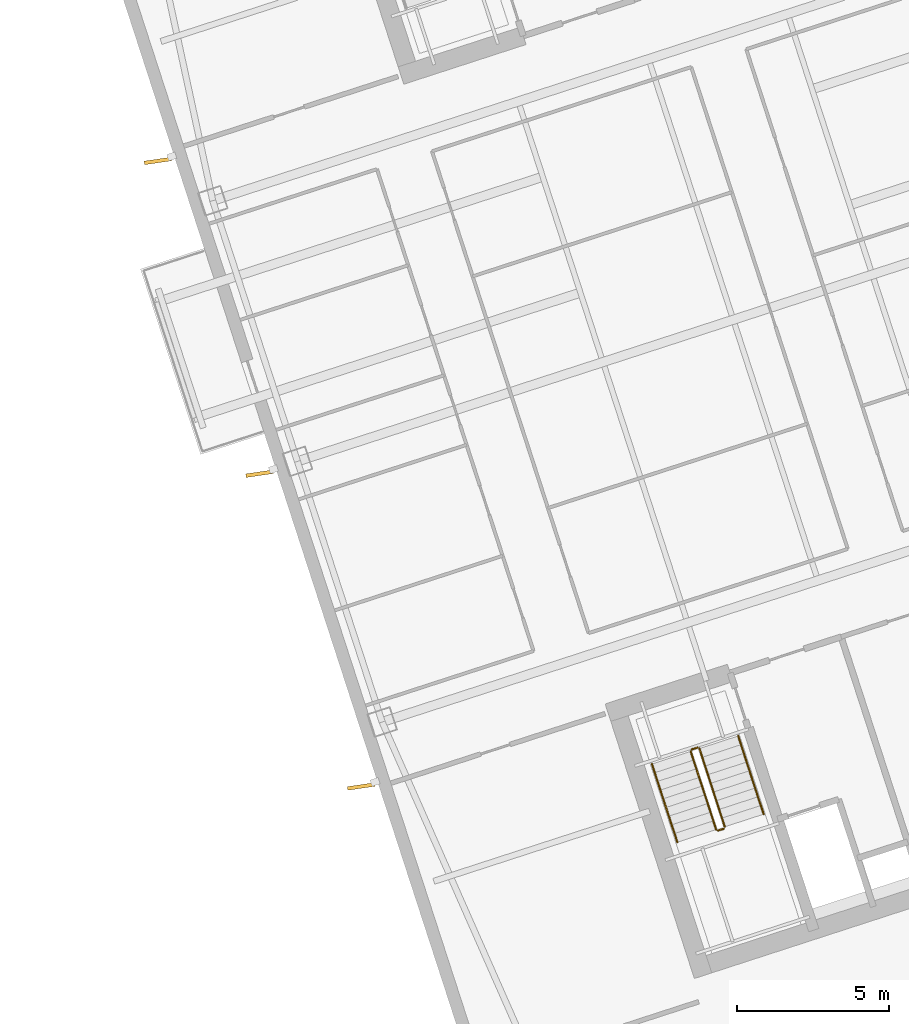
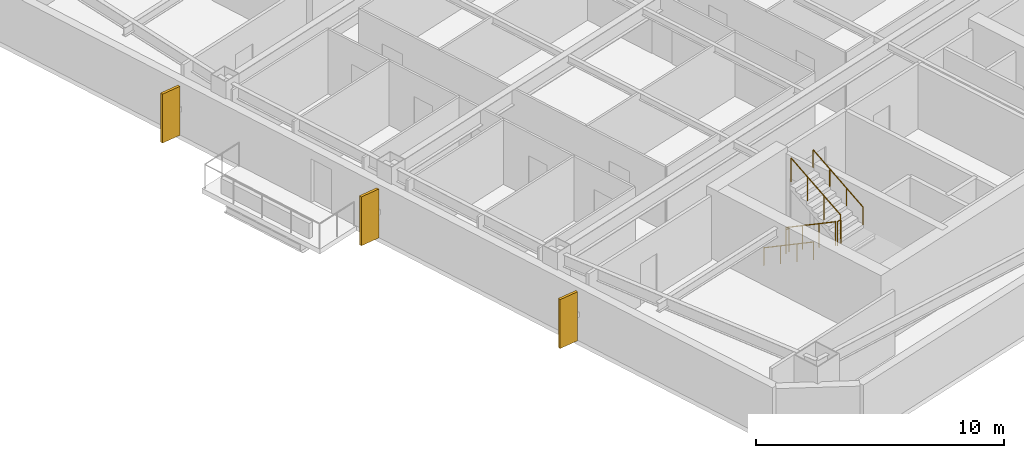
# One storey, part 16 of 17: 6 railings, 3 shading devices.
"""IFC4 building model written with IfcOpenShell, lengths in metres."""

from ifc_helpers import new_model, si_unit, direction, frame, origin, origin_2d, place, context, subcontext, project, spatial, rectangle, circle, extrude, material, layer, layer_set, type_object, element, save


model = new_model("IFC4")

# Units and contexts
model_context = context("Model", 3, precision=1e-05, world=origin(), true_north=direction((0.0, 1.0)))
body_context = subcontext(model_context, "Body", "Model", "MODEL_VIEW")
ifc_project = project(units=[si_unit("LENGTHUNIT", "METRE"), si_unit("AREAUNIT", "SQUARE_METRE"), si_unit("VOLUMEUNIT", "CUBIC_METRE"), si_unit("PLANEANGLEUNIT", "RADIAN"), si_unit("MASSUNIT", "GRAM", prefix="KILO")], contexts=[model_context])

# Site, building, storey
site_placement = place(None, origin())
site = spatial("IfcSite", under=ifc_project, at=site_placement, CompositionType="ELEMENT")
building_placement = place(site_placement, origin())
building = spatial("IfcBuilding", under=site, at=building_placement, Name="Qiaolan Cultural Towers", CompositionType="ELEMENT")
storey_placement = place(building_placement, frame((0.0, 0.0, 142.60009765625)))
storey = spatial("IfcBuildingStorey", under=building, at=storey_placement, Name="L37", CompositionType="ELEMENT", Elevation=142.60009765625)

# Railings
ifc_material_1 = material(Name="Galvanized Painted Steel Stair Guardrail", Category="steel")
railing_type_1 = type_object("IfcRailingType", Name="RL-STAIR-GRD", PredefinedType="GUARDRAIL", material=ifc_material_1)
railing_1_placement = place(storey_placement, frame((88.60205078125, 19.82421875, 0.17236328125)))
element("IfcRailing", 1, at=railing_1_placement, inside=storey, type_object=railing_type_1, Name="L37 ST-E1 stair guard 1", PredefinedType="GUARDRAIL", context=body_context, shape_type="SweptSolid", body=[
    extrude(circle(Radius=0.02392578125, at=origin_2d()), frame((0.0, 0.0, 1.17578125), z_axis=(0.267925668498, -0.824471088726, 0.498460891159), x_axis=(0.951043371037, 0.309057448393, 0.0)), (0.0, 0.0, 1.0), 3.114501953125),
    extrude(circle(Radius=0.02099609375, at=origin_2d()), origin(), (0.0, 0.0, 1.0), 1.15185546875),
    extrude(circle(Radius=0.02099609375, at=origin_2d()), frame((0.278076171875, -0.85595703125, 0.517578125)), (0.0, 0.0, 1.0), 1.15185546875),
    extrude(circle(Radius=0.02099609375, at=origin_2d()), frame((0.556396484375, -1.7119140625, 1.034912109375)), (0.0, 0.0, 1.0), 1.15185546875),
    extrude(circle(Radius=0.02099609375, at=origin_2d()), frame((0.83447265625, -2.56787109375, 1.552490234375)), (0.0, 0.0, 1.0), 1.15185546875),
])
railing_2_placement = place(storey_placement, frame((89.49951171875, 17.224365234375, 1.724853515625)))
element("IfcRailing", 2, at=railing_2_placement, inside=storey, type_object=railing_type_1, Name="L37 ST-E1 stair guard 2", PredefinedType="GUARDRAIL", context=body_context, shape_type="SweptSolid", body=[
    extrude(circle(Radius=0.02392578125, at=origin_2d()), frame((0.0, 0.0, 1.17578125), z_axis=(0.951096855055, 0.308892816854, 0.0), x_axis=(-0.308892816854, 0.951096855055, 0.0)), (0.0, 0.0, 1.0), 0.199951171875),
    extrude(circle(Radius=0.02099609375, at=origin_2d()), origin(), (0.0, 0.0, 1.0), 1.15185546875),
    extrude(circle(Radius=0.02099609375, at=origin_2d()), frame((0.190185546875, 0.061767578125, 0.0)), (0.0, 0.0, 1.0), 1.15185546875),
])
railing_3_placement = place(storey_placement, frame((89.721923828125, 17.34912109375, 1.8974609375)))
element("IfcRailing", 3, at=railing_3_placement, inside=storey, type_object=railing_type_1, Name="L37 ST-E1 stair guard 3", PredefinedType="GUARDRAIL", context=body_context, shape_type="SweptSolid", body=[
    extrude(circle(Radius=0.02392578125, at=origin_2d()), frame((0.0, 0.0, 1.17578125), z_axis=(-0.267925668498, 0.824471088726, 0.498460891159), x_axis=(-0.951043371037, -0.309057448393, 0.0)), (0.0, 0.0, 1.0), 3.114501953125),
    extrude(circle(Radius=0.02099609375, at=origin_2d()), origin(), (0.0, 0.0, 1.0), 1.15185546875),
    extrude(circle(Radius=0.02099609375, at=origin_2d()), frame((-0.278076171875, 0.85595703125, 0.517578125)), (0.0, 0.0, 1.0), 1.15185546875),
    extrude(circle(Radius=0.02099609375, at=origin_2d()), frame((-0.556396484375, 1.7119140625, 1.034912109375)), (0.0, 0.0, 1.0), 1.15185546875),
    extrude(circle(Radius=0.02099609375, at=origin_2d()), frame((-0.83447265625, 2.56787109375, 1.552490234375)), (0.0, 0.0, 1.0), 1.15185546875),
])
railing_4_placement = place(storey_placement, frame((88.63427734375, 19.88720703125, 0.0)))
element("IfcRailing", 4, at=railing_4_placement, inside=storey, type_object=railing_type_1, Name="L37 ST-E1 stair guard 4", PredefinedType="GUARDRAIL", context=body_context, shape_type="SweptSolid", body=[
    extrude(circle(Radius=0.02392578125, at=origin_2d()), frame((0.0, 0.0, 1.17578125), z_axis=(0.951096855055, 0.308892816854, 0.0), x_axis=(-0.308892816854, 0.951096855055, 0.0)), (0.0, 0.0, 1.0), 0.199951171875),
    extrude(circle(Radius=0.02099609375, at=origin_2d()), origin(), (0.0, 0.0, 1.0), 1.15185546875),
    extrude(circle(Radius=0.02099609375, at=origin_2d()), frame((0.190185546875, 0.061767578125, 0.0)), (0.0, 0.0, 1.0), 1.15185546875),
])
ifc_material_2 = material(Name="Stainless Steel S30408 Tubular Handrail", Category="steel")
railing_type_2 = type_object("IfcRailingType", Name="RL-STAIR-HR", PredefinedType="HANDRAIL", material=ifc_material_2)
railing_5_placement = place(storey_placement, frame((87.32763671875, 19.41015625, 0.17236328125)))
element("IfcRailing", 5, at=railing_5_placement, inside=storey, type_object=railing_type_2, Name="L37 ST-E1 stair handrail 1", PredefinedType="HANDRAIL", context=body_context, shape_type="SweptSolid", body=[
    extrude(circle(Radius=0.02392578125, at=origin_2d()), frame((0.0, 0.0, 0.8759765625), z_axis=(0.267925668498, -0.824471088726, 0.498460891159), x_axis=(0.951043371037, 0.309057448393, 0.0)), (0.0, 0.0, 1.0), 3.114501953125),
    extrude(circle(Radius=0.02099609375, at=origin_2d()), origin(), (0.0, 0.0, 1.0), 0.851806640625),
    extrude(circle(Radius=0.02099609375, at=origin_2d()), frame((0.278076171875, -0.85595703125, 0.517578125)), (0.0, 0.0, 1.0), 0.851806640625),
    extrude(circle(Radius=0.02099609375, at=origin_2d()), frame((0.556396484375, -1.7119140625, 1.034912109375)), (0.0, 0.0, 1.0), 0.851806640625),
    extrude(circle(Radius=0.02099609375, at=origin_2d()), frame((0.83447265625, -2.56787109375, 1.552490234375)), (0.0, 0.0, 1.0), 0.851806640625),
])
railing_6_placement = place(storey_placement, frame((90.996337890625, 17.76318359375, 1.8974609375)))
element("IfcRailing", 6, at=railing_6_placement, inside=storey, type_object=railing_type_2, Name="L37 ST-E1 stair handrail 2", PredefinedType="HANDRAIL", context=body_context, shape_type="SweptSolid", body=[
    extrude(circle(Radius=0.02392578125, at=origin_2d()), frame((0.0, 0.0, 0.8759765625), z_axis=(-0.267925668498, 0.824471088726, 0.498460891159), x_axis=(-0.951043371037, -0.309057448393, 0.0)), (0.0, 0.0, 1.0), 3.114501953125),
    extrude(circle(Radius=0.02099609375, at=origin_2d()), origin(), (0.0, 0.0, 1.0), 0.851806640625),
    extrude(circle(Radius=0.02099609375, at=origin_2d()), frame((-0.278076171875, 0.85595703125, 0.517578125)), (0.0, 0.0, 1.0), 0.851806640625),
    extrude(circle(Radius=0.02099609375, at=origin_2d()), frame((-0.556396484375, 1.7119140625, 1.034912109375)), (0.0, 0.0, 1.0), 0.851806640625),
    extrude(circle(Radius=0.02099609375, at=origin_2d()), frame((-0.83447265625, 2.56787109375, 1.552490234375)), (0.0, 0.0, 1.0), 0.851806640625),
])

# Shading devices
ifc_material_3 = material(Name="Pierced Warm Terracotta Acoustic Fin", Category="masonry")
ifc_layer = layer(ifc_material_3, 0.1201171875)
ifc_layer_set = layer_set([ifc_layer], Name="Pierced Warm Terracotta Acoustic Fin")
shading_device_type = type_object("IfcShadingDeviceType", Name="SHD-FIN-PIERCED", PredefinedType="USERDEFINED", material=ifc_layer_set)
for number, where, z_axis, x_axis, name in (
    (7, (77.778076171875, 18.673095703125, 0.10009765625), (0.0, 0.0, 1.0), (0.989378679734, 0.145361026717, 0.0), "L37 T2 Expressive Precast Vertical Fin W1"),
    (8, (74.440673828125, 28.944580078125, 0.10009765625), (0.0, 0.0, 1.0), (0.989378679734, 0.145361026717, 0.0), "L37 T2 Expressive Precast Vertical Fin W2"),
    (9, (71.103271484375, 39.2158203125, 0.10009765625), (0.0, 0.0, 1.0), (0.989378679734, 0.145361026717, 0.0), "L37 T2 Expressive Precast Vertical Fin W3"),
):
    element("IfcShadingDevice", number, at=place(storey_placement, frame(where, z_axis=z_axis, x_axis=x_axis)), inside=storey, type_object=shading_device_type, Name=name, ObjectType="FIN", PredefinedType="USERDEFINED", context=body_context, shape_type="SweptSolid", body=[
        extrude(rectangle(XDim=0.89990234375, YDim=0.1201171875, at=origin_2d()), origin(), (0.0, 0.0, 1.0), 2.409912109375),
    ])

save(model, "model.ifc")
